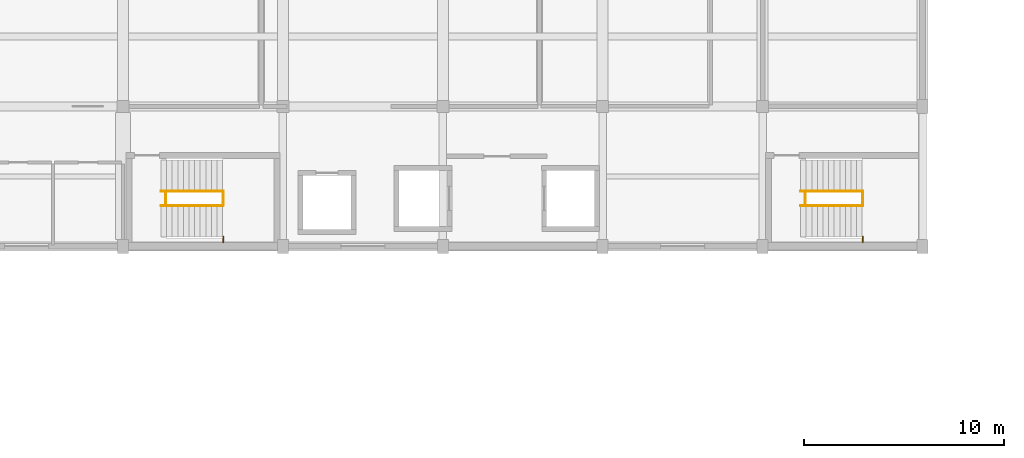
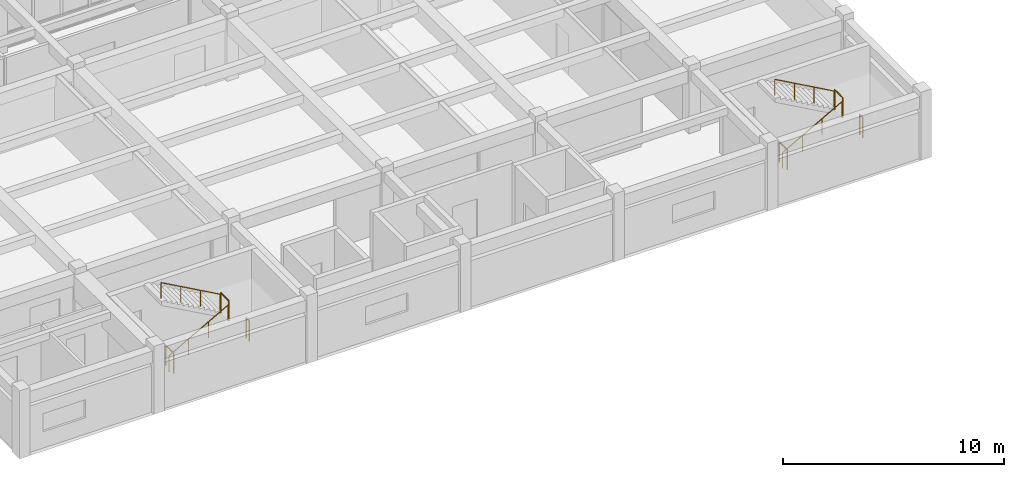
# One storey, part 15 of 17: 10 railings.
"""IFC4 building model written with IfcOpenShell, lengths in metres."""

from ifc_helpers import new_model, si_unit, direction, frame, origin, origin_2d, place, context, subcontext, project, spatial, circle, extrude, material, type_object, element, save


model = new_model("IFC4")

# Units and contexts
model_context = context("Model", 3, precision=1e-05, world=origin(), true_north=direction((0.0, 1.0)))
body_context = subcontext(model_context, "Body", "Model", "MODEL_VIEW")
ifc_project = project(units=[si_unit("LENGTHUNIT", "METRE"), si_unit("AREAUNIT", "SQUARE_METRE"), si_unit("VOLUMEUNIT", "CUBIC_METRE"), si_unit("PLANEANGLEUNIT", "RADIAN"), si_unit("MASSUNIT", "GRAM", prefix="KILO")], contexts=[model_context])

# Site, building, storey
site_placement = place(None, origin())
site = spatial("IfcSite", under=ifc_project, at=site_placement, CompositionType="ELEMENT")
building_placement = place(site_placement, origin())
building = spatial("IfcBuilding", under=site, at=building_placement, Name="Naurynzar Civic Courthouse", CompositionType="ELEMENT")
storey_placement = place(building_placement, frame((0.0, 0.0, 29.550048828125)))
storey = spatial("IfcBuildingStorey", under=building, at=storey_placement, Name="L08", CompositionType="ELEMENT", Elevation=29.550048828125)

# Railings
ifc_material_1 = material(Name="Brushed Stainless Steel 304", Category="steel")
railing_type_1 = type_object("IfcRailingType", Name="RAIL-BAL-1100", PredefinedType="BALUSTRADE", material=ifc_material_1)
for number, where, name in (
    (1, (71.139892578125, 46.0400390625, 0.0), "Stair ST-V2A floor well slot guard L08"),
    (2, (74.02001953125, 46.0400390625, 1.875), "Stair ST-V2A-L08 half-landing well guard"),
):
    element("IfcRailing", number, at=place(storey_placement, frame(where)), inside=storey, type_object=railing_type_1, Name=name, PredefinedType="BALUSTRADE", context=body_context, shape_type="SweptSolid", body=[
        extrude(circle(Radius=0.02392578125, at=origin_2d()), frame((0.0, 0.0, 1.09619140625), z_axis=(0.0, 1.0, 0.0), x_axis=(-1.0, 0.0, 0.0)), (0.0, 0.0, 1.0), 0.719970703125),
        extrude(circle(Radius=0.02099609375, at=origin_2d()), origin(), (0.0, 0.0, 1.0), 1.072021484375),
        extrude(circle(Radius=0.02099609375, at=origin_2d()), frame((0.0, 0.719970703125, 0.0)), (0.0, 0.0, 1.0), 1.072021484375),
    ])
railing_1_placement = place(storey_placement, frame((74.02001953125, 44.195068359375, 1.875)))
element("IfcRailing", 3, at=railing_1_placement, inside=storey, type_object=railing_type_1, Name="Stair ST-V2A-L08 half-landing south slot guard", PredefinedType="BALUSTRADE", context=body_context, shape_type="SweptSolid", body=[
    extrude(circle(Radius=0.02392578125, at=origin_2d()), frame((0.0, 0.0, 1.09619140625), z_axis=(0.0, 1.0, 0.0), x_axis=(-1.0, 0.0, 0.0)), (0.0, 0.0, 1.0), 0.284912109375),
    extrude(circle(Radius=0.02099609375, at=origin_2d()), origin(), (0.0, 0.0, 1.0), 1.072021484375),
    extrude(circle(Radius=0.02099609375, at=origin_2d()), frame((0.0, 0.284912109375, 0.0)), (0.0, 0.0, 1.0), 1.072021484375),
])
for number, where, name in (
    (4, (103.139892578125, 46.0400390625, 0.0), "Stair ST-V2B floor well slot guard L08"),
    (5, (106.02001953125, 46.0400390625, 1.875), "Stair ST-V2B-L08 half-landing well guard"),
):
    element("IfcRailing", number, at=place(storey_placement, frame(where)), inside=storey, type_object=railing_type_1, Name=name, PredefinedType="BALUSTRADE", context=body_context, shape_type="SweptSolid", body=[
        extrude(circle(Radius=0.02392578125, at=origin_2d()), frame((0.0, 0.0, 1.09619140625), z_axis=(0.0, 1.0, 0.0), x_axis=(-1.0, 0.0, 0.0)), (0.0, 0.0, 1.0), 0.719970703125),
        extrude(circle(Radius=0.02099609375, at=origin_2d()), origin(), (0.0, 0.0, 1.0), 1.072021484375),
        extrude(circle(Radius=0.02099609375, at=origin_2d()), frame((0.0, 0.719970703125, 0.0)), (0.0, 0.0, 1.0), 1.072021484375),
    ])
railing_2_placement = place(storey_placement, frame((106.02001953125, 44.195068359375, 1.875)))
element("IfcRailing", 6, at=railing_2_placement, inside=storey, type_object=railing_type_1, Name="Stair ST-V2B-L08 half-landing south slot guard", PredefinedType="BALUSTRADE", context=body_context, shape_type="SweptSolid", body=[
    extrude(circle(Radius=0.02392578125, at=origin_2d()), frame((0.0, 0.0, 1.09619140625), z_axis=(0.0, 1.0, 0.0), x_axis=(-1.0, 0.0, 0.0)), (0.0, 0.0, 1.0), 0.284912109375),
    extrude(circle(Radius=0.02099609375, at=origin_2d()), origin(), (0.0, 0.0, 1.0), 1.072021484375),
    extrude(circle(Radius=0.02099609375, at=origin_2d()), frame((0.0, 0.284912109375, 0.0)), (0.0, 0.0, 1.0), 1.072021484375),
])
ifc_material_2 = material(Name="Brushed Stainless Steel 304", Category="steel")
railing_type_2 = type_object("IfcRailingType", Name="RAIL-HR-900", PredefinedType="HANDRAIL", material=ifc_material_2)
railing_3_placement = place(storey_placement, frame((70.89990234375, 46.0400390625, 0.15625)))
element("IfcRailing", 7, at=railing_3_placement, inside=storey, type_object=railing_type_2, Name="Stair ST-V2A-L08 flight 1 handrail", PredefinedType="HANDRAIL", context=body_context, shape_type="SweptSolid", body=[
    extrude(circle(Radius=0.02392578125, at=origin_2d()), frame((0.0, 0.0, 0.8759765625), z_axis=(0.873241540666, 0.0, 0.487287606713), x_axis=(0.0, 1.0, 0.0)), (0.0, 0.0, 1.0), 3.527099609375),
    extrude(circle(Radius=0.02099609375, at=origin_2d()), origin(), (0.0, 0.0, 1.0), 0.851806640625),
    extrude(circle(Radius=0.02099609375, at=origin_2d()), frame((1.026611328125, 0.0, 0.572998046875)), (0.0, 0.0, 1.0), 0.851806640625),
    extrude(circle(Radius=0.02099609375, at=origin_2d()), frame((2.053466796875, 0.0, 1.145751953125)), (0.0, 0.0, 1.0), 0.851806640625),
    extrude(circle(Radius=0.02099609375, at=origin_2d()), frame((3.080078125, 0.0, 1.71875)), (0.0, 0.0, 1.0), 0.851806640625),
])
railing_4_placement = place(storey_placement, frame((73.97998046875, 46.760009765625, 2.03125)))
element("IfcRailing", 8, at=railing_4_placement, inside=storey, type_object=railing_type_2, Name="Stair ST-V2A-L08 flight 2 handrail", PredefinedType="HANDRAIL", context=body_context, shape_type="SweptSolid", body=[
    extrude(circle(Radius=0.02392578125, at=origin_2d()), frame((0.0, 0.0, 0.8759765625), z_axis=(-0.873241540666, 0.0, 0.487287606713), x_axis=(0.0, -1.0, 0.0)), (0.0, 0.0, 1.0), 3.527099609375),
    extrude(circle(Radius=0.02099609375, at=origin_2d()), origin(), (0.0, 0.0, 1.0), 0.851806640625),
    extrude(circle(Radius=0.02099609375, at=origin_2d()), frame((-1.026611328125, 0.0, 0.572998046875)), (0.0, 0.0, 1.0), 0.851806640625),
    extrude(circle(Radius=0.02099609375, at=origin_2d()), frame((-2.053466796875, 0.0, 1.145751953125)), (0.0, 0.0, 1.0), 0.851806640625),
    extrude(circle(Radius=0.02099609375, at=origin_2d()), frame((-3.080078125, 0.0, 1.71875)), (0.0, 0.0, 1.0), 0.851806640625),
])
railing_5_placement = place(storey_placement, frame((102.89990234375, 46.0400390625, 0.15625)))
element("IfcRailing", 9, at=railing_5_placement, inside=storey, type_object=railing_type_2, Name="Stair ST-V2B-L08 flight 1 handrail", PredefinedType="HANDRAIL", context=body_context, shape_type="SweptSolid", body=[
    extrude(circle(Radius=0.02392578125, at=origin_2d()), frame((0.0, 0.0, 0.8759765625), z_axis=(0.873241540666, 0.0, 0.487287606713), x_axis=(0.0, 1.0, 0.0)), (0.0, 0.0, 1.0), 3.527099609375),
    extrude(circle(Radius=0.02099609375, at=origin_2d()), origin(), (0.0, 0.0, 1.0), 0.851806640625),
    extrude(circle(Radius=0.02099609375, at=origin_2d()), frame((1.026611328125, 0.0, 0.572998046875)), (0.0, 0.0, 1.0), 0.851806640625),
    extrude(circle(Radius=0.02099609375, at=origin_2d()), frame((2.053466796875, 0.0, 1.145751953125)), (0.0, 0.0, 1.0), 0.851806640625),
    extrude(circle(Radius=0.02099609375, at=origin_2d()), frame((3.080078125, 0.0, 1.71875)), (0.0, 0.0, 1.0), 0.851806640625),
])
railing_6_placement = place(storey_placement, frame((105.97998046875, 46.760009765625, 2.03125)))
element("IfcRailing", 10, at=railing_6_placement, inside=storey, type_object=railing_type_2, Name="Stair ST-V2B-L08 flight 2 handrail", PredefinedType="HANDRAIL", context=body_context, shape_type="SweptSolid", body=[
    extrude(circle(Radius=0.02392578125, at=origin_2d()), frame((0.0, 0.0, 0.8759765625), z_axis=(-0.873241540666, 0.0, 0.487287606713), x_axis=(0.0, -1.0, 0.0)), (0.0, 0.0, 1.0), 3.527099609375),
    extrude(circle(Radius=0.02099609375, at=origin_2d()), origin(), (0.0, 0.0, 1.0), 0.851806640625),
    extrude(circle(Radius=0.02099609375, at=origin_2d()), frame((-1.026611328125, 0.0, 0.572998046875)), (0.0, 0.0, 1.0), 0.851806640625),
    extrude(circle(Radius=0.02099609375, at=origin_2d()), frame((-2.053466796875, 0.0, 1.145751953125)), (0.0, 0.0, 1.0), 0.851806640625),
    extrude(circle(Radius=0.02099609375, at=origin_2d()), frame((-3.080078125, 0.0, 1.71875)), (0.0, 0.0, 1.0), 0.851806640625),
])

save(model, "model.ifc")
